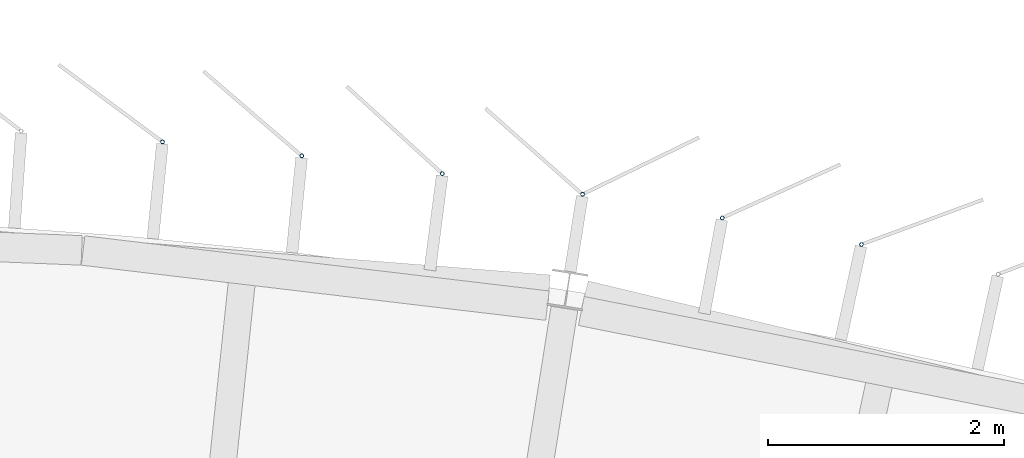
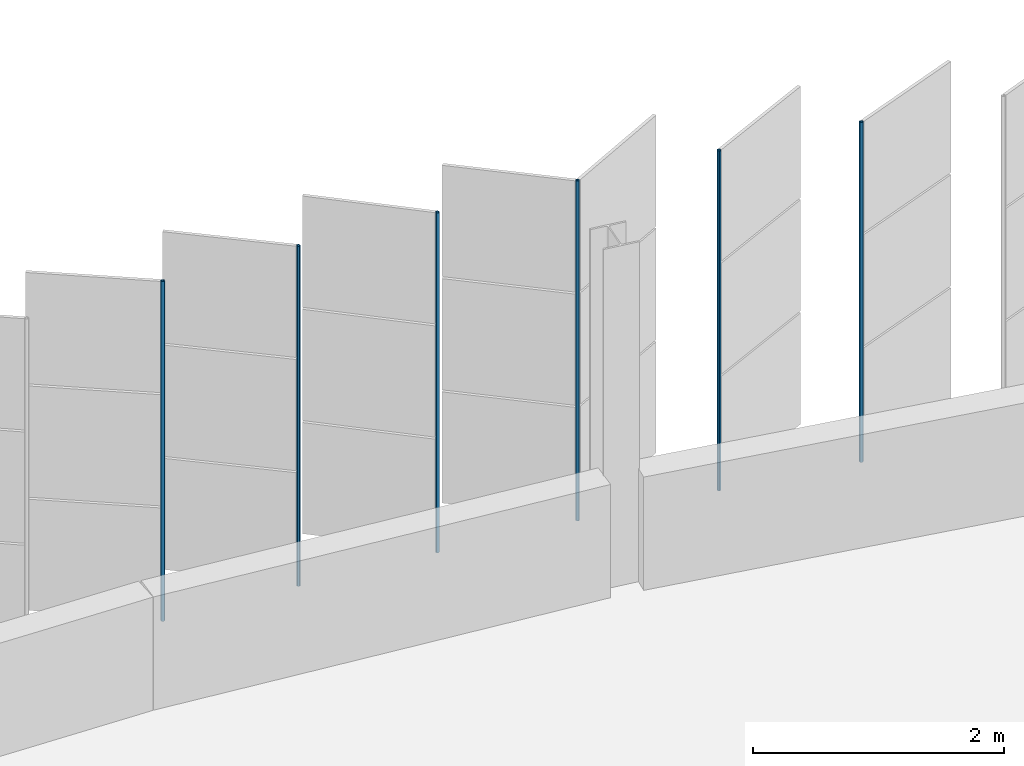
# One storey, part 170 of 214: 6 discrete accessories.
"""IFC4 building model written with IfcOpenShell, lengths in metres."""

from ifc_helpers import new_model, si_unit, direction, frame, origin, origin_2d, place, context, subcontext, project, spatial, hollow_circle, extrude, material, material_profile, profile_set, type_object, element, save


model = new_model("IFC4")

# Units and contexts
model_context = context("Model", 3, precision=1e-05, world=origin(), true_north=direction((0.0, 1.0)))
body_context = subcontext(model_context, "Body", "Model", "MODEL_VIEW")
ifc_project = project(units=[si_unit("LENGTHUNIT", "METRE"), si_unit("AREAUNIT", "SQUARE_METRE"), si_unit("VOLUMEUNIT", "CUBIC_METRE"), si_unit("PLANEANGLEUNIT", "RADIAN"), si_unit("MASSUNIT", "GRAM", prefix="KILO")], contexts=[model_context])

# Site, building, storey
site_placement = place(None, origin())
site = spatial("IfcSite", under=ifc_project, at=site_placement, CompositionType="ELEMENT")
building_placement = place(site_placement, origin())
building = spatial("IfcBuilding", under=site, at=building_placement, Name="Parallax Yard Mobility Hub", CompositionType="ELEMENT")
storey_placement = place(building_placement, frame((0.0, 0.0, 3.300048828125)))
storey = spatial("IfcBuildingStorey", under=building, at=storey_placement, Name="L01", CompositionType="ELEMENT", Elevation=3.300048828125)

# Discrete accessories
ifc_material = material(Name="Steel ASTM A500 Gr C, hot-dip galvanised", Category="steel")
ifc_material_profile = material_profile(ifc_material, hollow_circle(Radius=0.016845703125, WallThickness=0.003173828125, at=origin_2d()), Name="CHS 33.7x3.2")
ifc_profile_set = profile_set([ifc_material_profile], Name="Steel ASTM A500 Gr C, hot-dip galvanised")
discrete_accessory_type = type_object("IfcDiscreteAccessoryType", Name="Hinge post CHS 33.7x3.2", PredefinedType="BRACKET", material=ifc_profile_set)
for number, where, z_axis, x_axis, name in (
    (1, (183.202392578125, 142.2373046875, 0.0), (0.0, 0.0, 1.0), (1.0, 0.0, 0.0), "Hinge post bay 49.6 level L01"),
    (2, (182.02392578125, 142.4619140625, 0.0), (0.0, 0.0, 1.0), (1.0, 0.0, 0.0), "Hinge post bay 49.7 level L01"),
    (3, (180.84130859375, 142.662109375, 0.0), (0.0, 0.0, 1.0), (1.0, 0.0, 0.0), "Hinge post bay 50.1 level L01"),
    (4, (179.654541015625, 142.83740234375, 0.0), (0.0, 0.0, 1.0), (1.0, 0.0, 0.0), "Hinge post bay 50.2 level L01"),
    (5, (178.464599609375, 142.98779296875, 0.0), (0.0, 0.0, 1.0), (1.0, 0.0, 0.0), "Hinge post bay 50.3 level L01"),
    (6, (177.285888671875, 143.10595703125, 0.0), (0.0, 0.0, 1.0), (1.0, 0.0, 0.0), "Hinge post bay 50.4 level L01"),
):
    element("IfcDiscreteAccessory", number, at=place(storey_placement, frame(where, z_axis=z_axis, x_axis=x_axis)), inside=storey, type_object=discrete_accessory_type, Name=name, PredefinedType="BRACKET", context=body_context, shape_type="SweptSolid", body=[
        extrude(hollow_circle(Radius=0.016845703125, WallThickness=0.003173828125, at=origin_2d()), origin(), (0.0, 0.0, 1.0), 3.300048828125),
    ])

save(model, "model.ifc")
